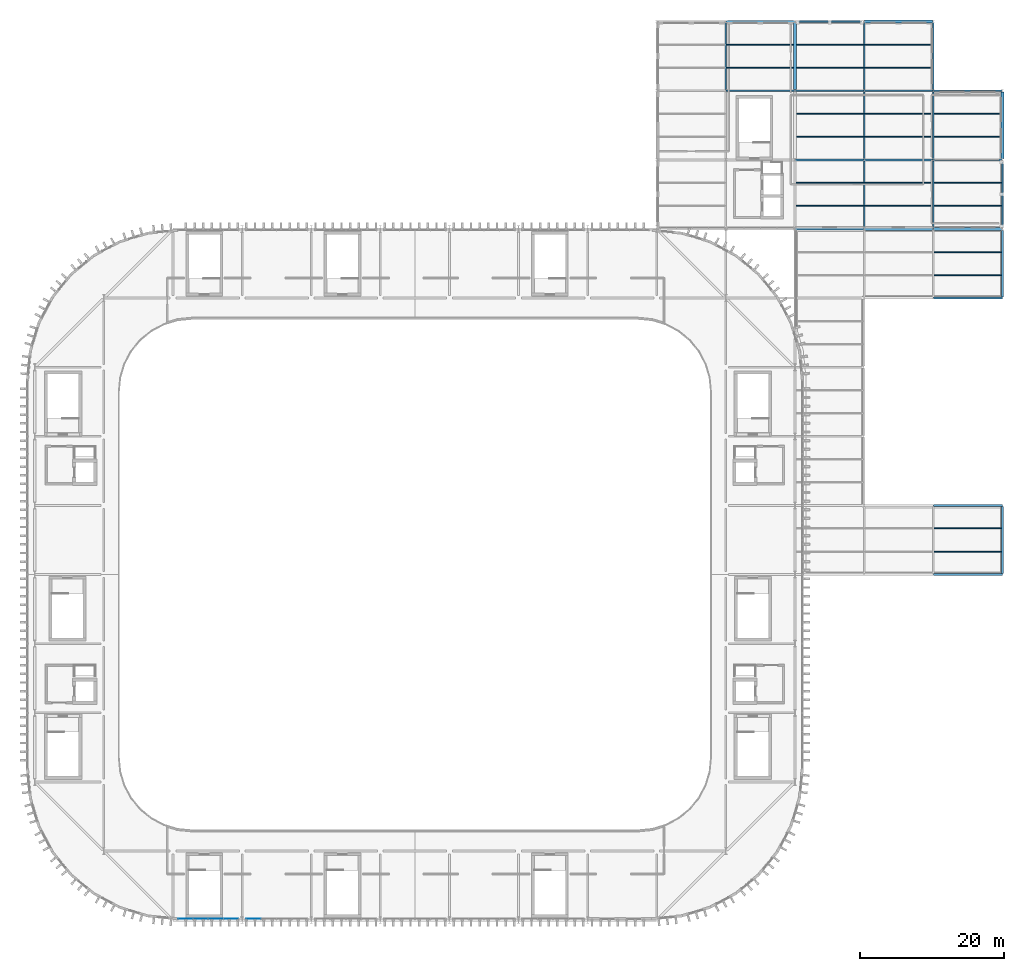
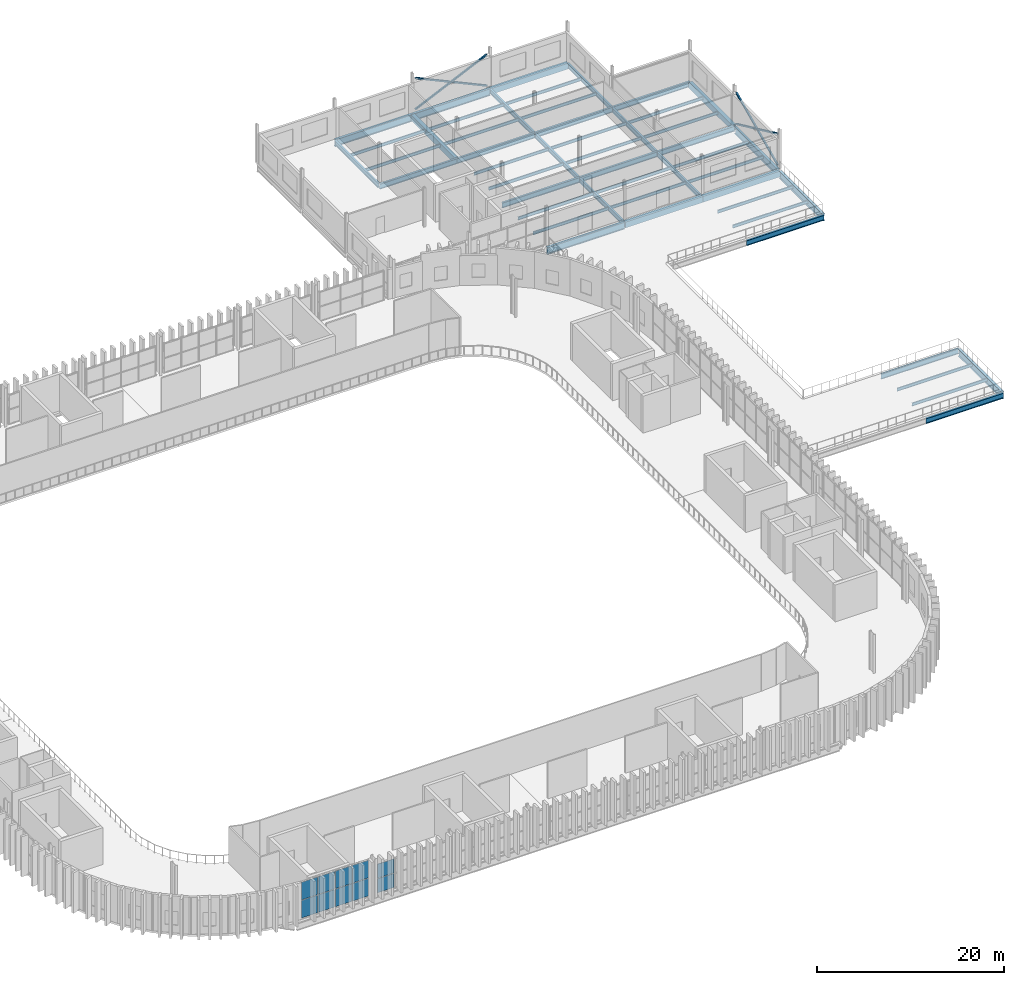
# One storey, part 25 of 45: 50 beams, 10 plates, 6 members, 2 elements without a shape of their own.
"""IFC4 building model written with IfcOpenShell, lengths in metres."""

from ifc_helpers import new_model, si_unit, direction, frame, origin, origin_2d, place, context, subcontext, project, spatial, rectangle, hollow_rectangle, i_section, extrude, material, layer, layer_set, material_profile, profile_set, type_object, element, aggregate, save


model = new_model("IFC4")

# Units and contexts
model_context = context("Model", 3, precision=1e-05, world=origin(), true_north=direction((0.0, 1.0)))
body_context = subcontext(model_context, "Body", "Model", "MODEL_VIEW")
ifc_project = project(units=[si_unit("LENGTHUNIT", "METRE"), si_unit("AREAUNIT", "SQUARE_METRE"), si_unit("VOLUMEUNIT", "CUBIC_METRE"), si_unit("PLANEANGLEUNIT", "RADIAN"), si_unit("MASSUNIT", "GRAM", prefix="KILO")], contexts=[model_context])

# Site, building, storey
site_placement = place(None, origin())
site = spatial("IfcSite", under=ifc_project, at=site_placement, CompositionType="ELEMENT")
building_placement = place(site_placement, origin())
building = spatial("IfcBuilding", under=site, at=building_placement, Name="Caelomonte Colonnade Arena", CompositionType="ELEMENT")
storey_placement = place(building_placement, frame((0.0, 0.0, 23.10009765625)))
storey = spatial("IfcBuildingStorey", under=building, at=storey_placement, Name="L05", CompositionType="ELEMENT", Elevation=23.10009765625)

# Members
ifc_material_1 = material(Name="Steel ASTM A500 Grade C", Category="steel")
ifc_material_profile_1 = material_profile(ifc_material_1, hollow_rectangle(XDim=0.203125, YDim=0.203125, WallThickness=0.009521484375, InnerFilletRadius=0.009521484375, OuterFilletRadius=0.01904296875, at=origin_2d()), Name="HSS203X203X9.5")
ifc_profile_set_1 = profile_set([ifc_material_profile_1], Name="Steel ASTM A500 Grade C")
member_type = type_object("IfcMemberType", Name="STR-BF-DIAG3", PredefinedType="BRACE", material=ifc_profile_set_1)
member_1_placement = place(storey_placement, frame((163.563720703125, 144.0, 0.16162109375), z_axis=(0.907895029972, 0.0, 0.419197584143), x_axis=(0.0, 1.0, 0.0)))
element("IfcMember", 1, at=member_1_placement, inside=storey, type_object=member_type, Name="Braced frame BF3 L05 continuous diagonal A", PredefinedType="BRACE", context=body_context, shape_type="SweptSolid", body=[
    extrude(hollow_rectangle(XDim=0.203125, YDim=0.203125, WallThickness=0.009521484375, InnerFilletRadius=0.009521484375, OuterFilletRadius=0.01904296875, at=origin_2d()), origin(), (0.0, 0.0, 1.0), 9.772705078125),
])
for number, where, z_axis, x_axis, name in (
    (2, (172.436279296875, 144.0, 0.16162109375), (-0.907901875581, 0.0, 0.419182757657), (0.0, -1.0, 0.0), "Braced frame BF3 L05 split diagonal B1"),
    (3, (167.85107421875, 144.0, 2.27880859375), (-0.907901875581, 0.0, 0.419182757657), (0.0, -1.0, 0.0), "Braced frame BF3 L05 split diagonal B2"),
):
    element("IfcMember", number, at=place(storey_placement, frame(where, z_axis=z_axis, x_axis=x_axis)), inside=storey, type_object=member_type, Name=name, PredefinedType="BRACE", context=body_context, shape_type="SweptSolid", body=[
        extrude(hollow_rectangle(XDim=0.203125, YDim=0.203125, WallThickness=0.009521484375, InnerFilletRadius=0.009521484375, OuterFilletRadius=0.01904296875, at=origin_2d()), origin(), (0.0, 0.0, 1.0), 4.72216796875),
    ])
member_2_placement = place(storey_placement, frame((192.0, 115.563720703125, 0.16162109375), z_axis=(0.0, 0.907895029972, 0.419197584143), x_axis=(-1.0, 0.0, 0.0)))
element("IfcMember", 4, at=member_2_placement, inside=storey, type_object=member_type, Name="Braced frame BF4 L05 continuous diagonal A", PredefinedType="BRACE", context=body_context, shape_type="SweptSolid", body=[
    extrude(hollow_rectangle(XDim=0.203125, YDim=0.203125, WallThickness=0.009521484375, InnerFilletRadius=0.009521484375, OuterFilletRadius=0.01904296875, at=origin_2d()), origin(), (0.0, 0.0, 1.0), 9.772705078125),
])
for number, where, z_axis, x_axis, name in (
    (5, (192.0, 124.436279296875, 0.16162109375), (0.0, -0.907901875581, 0.419182757657), (1.0, 0.0, 0.0), "Braced frame BF4 L05 split diagonal B1"),
    (6, (192.0, 119.85107421875, 2.27880859375), (0.0, -0.907901875581, 0.419182757657), (1.0, 0.0, 0.0), "Braced frame BF4 L05 split diagonal B2"),
):
    element("IfcMember", number, at=place(storey_placement, frame(where, z_axis=z_axis, x_axis=x_axis)), inside=storey, type_object=member_type, Name=name, PredefinedType="BRACE", context=body_context, shape_type="SweptSolid", body=[
        extrude(hollow_rectangle(XDim=0.203125, YDim=0.203125, WallThickness=0.009521484375, InnerFilletRadius=0.009521484375, OuterFilletRadius=0.01904296875, at=origin_2d()), origin(), (0.0, 0.0, 1.0), 4.72216796875),
    ])

# Beams
ifc_material_2 = material(Name="Wide-flange steel ASTM A992 Grade 50", Category="steel")
ifc_material_profile_2 = material_profile(ifc_material_2, i_section(OverallWidth=0.307861328125, OverallDepth=0.927001953125, WebThickness=0.019287109375, FlangeThickness=0.031982421875, FilletRadius=0.020263671875, at=origin_2d()), Name="W36X194")
ifc_profile_set_2 = profile_set([ifc_material_profile_2], Name="Wide-flange steel ASTM A992 Grade 50")
beam_type_1 = type_object("IfcBeamType", Name="STR-BM-EAVES2", PredefinedType="SPANDREL", material=ifc_profile_set_2)
beam_1_placement = place(storey_placement, frame((163.204833984375, 115.199951171875, -0.7236328125), z_axis=(1.0, 0.0, 0.0), x_axis=(0.0, 1.0, 0.0)))
element("IfcBeam", 7, at=beam_1_placement, inside=storey, type_object=beam_type_1, Name="L05 girder BMX-L05-1632-1152", PredefinedType="SPANDREL", context=body_context, shape_type="SweptSolid", body=[
    extrude(i_section(OverallWidth=0.307861328125, OverallDepth=0.927001953125, WebThickness=0.019287109375, FlangeThickness=0.031982421875, FilletRadius=0.020263671875, at=origin_2d()), origin(), (0.0, 0.0, 1.0), 9.59033203125),
])
beam_2_placement = place(storey_placement, frame((153.60498046875, 144.0, -0.7236328125), z_axis=(1.0, 0.0, 0.0), x_axis=(0.0, 1.0, 0.0)))
element("IfcBeam", 8, at=beam_2_placement, inside=storey, type_object=beam_type_1, Name="L05 girder BMX-L05-1536-1440", PredefinedType="SPANDREL", context=body_context, shape_type="SweptSolid", body=[
    extrude(i_section(OverallWidth=0.307861328125, OverallDepth=0.927001953125, WebThickness=0.019287109375, FlangeThickness=0.031982421875, FilletRadius=0.020263671875, at=origin_2d()), origin(), (0.0, 0.0, 1.0), 9.590087890625),
])
beam_3_placement = place(storey_placement, frame((163.204833984375, 144.0, -0.7236328125), z_axis=(1.0, 0.0, 0.0), x_axis=(0.0, 1.0, 0.0)))
element("IfcBeam", 9, at=beam_3_placement, inside=storey, type_object=beam_type_1, Name="L05 girder BMX-L05-1632-1440", PredefinedType="SPANDREL", context=body_context, shape_type="SweptSolid", body=[
    extrude(i_section(OverallWidth=0.307861328125, OverallDepth=0.927001953125, WebThickness=0.019287109375, FlangeThickness=0.031982421875, FilletRadius=0.020263671875, at=origin_2d()), origin(), (0.0, 0.0, 1.0), 9.59033203125),
])
beam_4_placement = place(storey_placement, frame((192.0, 67.345947265625, -0.7236328125), z_axis=(0.0, 1.0, 0.0), x_axis=(-1.0, 0.0, 0.0)))
element("IfcBeam", 10, at=beam_4_placement, inside=storey, type_object=beam_type_1, Name="L05 girder BMY-L05-1920-0672", PredefinedType="SPANDREL", context=body_context, shape_type="SweptSolid", body=[
    extrude(i_section(OverallWidth=0.307861328125, OverallDepth=0.927001953125, WebThickness=0.019287109375, FlangeThickness=0.031982421875, FilletRadius=0.020263671875, at=origin_2d()), origin(), (0.0, 0.0, 1.0), 9.30810546875),
])
beam_5_placement = place(storey_placement, frame((192.0, 105.745849609375, -0.7236328125), z_axis=(0.0, 1.0, 0.0), x_axis=(-1.0, 0.0, 0.0)))
element("IfcBeam", 11, at=beam_5_placement, inside=storey, type_object=beam_type_1, Name="L05 girder BMY-L05-1920-1056", PredefinedType="SPANDREL", context=body_context, shape_type="SweptSolid", body=[
    extrude(i_section(OverallWidth=0.307861328125, OverallDepth=0.927001953125, WebThickness=0.019287109375, FlangeThickness=0.031982421875, FilletRadius=0.020263671875, at=origin_2d()), origin(), (0.0, 0.0, 1.0), 9.308349609375),
])
beam_6_placement = place(storey_placement, frame((192.0, 115.345947265625, -0.7236328125), z_axis=(0.0, 1.0, 0.0), x_axis=(-1.0, 0.0, 0.0)))
element("IfcBeam", 12, at=beam_6_placement, inside=storey, type_object=beam_type_1, Name="L05 girder BMY-L05-1920-1152", PredefinedType="SPANDREL", context=body_context, shape_type="SweptSolid", body=[
    extrude(i_section(OverallWidth=0.307861328125, OverallDepth=0.927001953125, WebThickness=0.019287109375, FlangeThickness=0.031982421875, FilletRadius=0.020263671875, at=origin_2d()), origin(), (0.0, 0.0, 1.0), 9.30810546875),
])
ifc_material_profile_3 = material_profile(ifc_material_2, i_section(OverallWidth=0.227783203125, OverallDepth=0.60205078125, WebThickness=0.010498046875, FlangeThickness=0.014892578125, FilletRadius=0.0126953125, at=origin_2d()), Name="W24X68")
ifc_profile_set_3 = profile_set([ifc_material_profile_3], Name="Wide-flange steel ASTM A992 Grade 50")
beam_type_2 = type_object("IfcBeamType", Name="STR-BM-GIRD24B", PredefinedType="SPANDREL", material=ifc_profile_set_3)
for number, where, z_axis, x_axis, name in (
    (13, (153.60009765625, 134.5458984375, -0.56103515625), (0.0, 1.0, 0.0), (-1.0, 0.0, 0.0), "L05 girder BMY-L05-1536-1344"),
    (14, (172.800048828125, 115.345947265625, -0.56103515625), (0.0, 1.0, 0.0), (-1.0, 0.0, 0.0), "L05 girder BMY-L05-1728-1152"),
):
    element("IfcBeam", number, at=place(storey_placement, frame(where, z_axis=z_axis, x_axis=x_axis)), inside=storey, type_object=beam_type_2, Name=name, PredefinedType="SPANDREL", context=body_context, shape_type="SweptSolid", body=[
        extrude(i_section(OverallWidth=0.227783203125, OverallDepth=0.60205078125, WebThickness=0.010498046875, FlangeThickness=0.014892578125, FilletRadius=0.0126953125, at=origin_2d()), origin(), (0.0, 0.0, 1.0), 9.30810546875),
    ])
beam_7_placement = place(storey_placement, frame((172.800048828125, 124.94580078125, -0.56103515625), z_axis=(0.0, 1.0, 0.0), x_axis=(-1.0, 0.0, 0.0)))
element("IfcBeam", 15, at=beam_7_placement, inside=storey, type_object=beam_type_2, Name="L05 girder BMY-L05-1728-1248", PredefinedType="SPANDREL", context=body_context, shape_type="SweptSolid", body=[
    extrude(i_section(OverallWidth=0.227783203125, OverallDepth=0.60205078125, WebThickness=0.010498046875, FlangeThickness=0.014892578125, FilletRadius=0.0126953125, at=origin_2d()), origin(), (0.0, 0.0, 1.0), 9.308349609375),
])
for number, where, z_axis, x_axis, name in (
    (16, (172.800048828125, 134.5458984375, -0.56103515625), (0.0, 1.0, 0.0), (-1.0, 0.0, 0.0), "L05 girder BMY-L05-1728-1344"),
    (17, (182.39990234375, 115.345947265625, -0.56103515625), (0.0, 1.0, 0.0), (-1.0, 0.0, 0.0), "L05 girder BMY-L05-1824-1152"),
):
    element("IfcBeam", number, at=place(storey_placement, frame(where, z_axis=z_axis, x_axis=x_axis)), inside=storey, type_object=beam_type_2, Name=name, PredefinedType="SPANDREL", context=body_context, shape_type="SweptSolid", body=[
        extrude(i_section(OverallWidth=0.227783203125, OverallDepth=0.60205078125, WebThickness=0.010498046875, FlangeThickness=0.014892578125, FilletRadius=0.0126953125, at=origin_2d()), origin(), (0.0, 0.0, 1.0), 9.30810546875),
    ])
beam_8_placement = place(storey_placement, frame((182.39990234375, 124.94580078125, -0.56103515625), z_axis=(0.0, 1.0, 0.0), x_axis=(-1.0, 0.0, 0.0)))
element("IfcBeam", 18, at=beam_8_placement, inside=storey, type_object=beam_type_2, Name="L05 girder BMY-L05-1824-1248", PredefinedType="SPANDREL", context=body_context, shape_type="SweptSolid", body=[
    extrude(i_section(OverallWidth=0.227783203125, OverallDepth=0.60205078125, WebThickness=0.010498046875, FlangeThickness=0.014892578125, FilletRadius=0.0126953125, at=origin_2d()), origin(), (0.0, 0.0, 1.0), 9.308349609375),
])
beam_9_placement = place(storey_placement, frame((182.39990234375, 134.5458984375, -0.56103515625), z_axis=(0.0, 1.0, 0.0), x_axis=(-1.0, 0.0, 0.0)))
element("IfcBeam", 19, at=beam_9_placement, inside=storey, type_object=beam_type_2, Name="L05 girder BMY-L05-1824-1344", PredefinedType="SPANDREL", context=body_context, shape_type="SweptSolid", body=[
    extrude(i_section(OverallWidth=0.227783203125, OverallDepth=0.60205078125, WebThickness=0.010498046875, FlangeThickness=0.014892578125, FilletRadius=0.0126953125, at=origin_2d()), origin(), (0.0, 0.0, 1.0), 9.30810546875),
])
ifc_material_profile_4 = material_profile(ifc_material_2, i_section(OverallWidth=0.2529296875, OverallDepth=0.67822265625, WebThickness=0.01171875, FlangeThickness=0.016357421875, FilletRadius=0.01513671875, at=origin_2d()), Name="W27X84")
ifc_profile_set_4 = profile_set([ifc_material_profile_4], Name="Wide-flange steel ASTM A992 Grade 50")
beam_type_3 = type_object("IfcBeamType", Name="STR-BM-GIRD27B", PredefinedType="BEAM", material=ifc_profile_set_4)
for number, where, z_axis, x_axis, name in (
    (20, (182.405029296875, 67.199951171875, -0.59912109375), (1.0, 0.0, 0.0), (0.0, 1.0, 0.0), "L05 girder BMX-L05-1824-0672"),
    (21, (182.405029296875, 76.800048828125, -0.59912109375), (1.0, 0.0, 0.0), (0.0, 1.0, 0.0), "L05 girder BMX-L05-1824-0768"),
    (22, (182.405029296875, 105.60009765625, -0.59912109375), (1.0, 0.0, 0.0), (0.0, 1.0, 0.0), "L05 girder BMX-L05-1824-1056"),
):
    element("IfcBeam", number, at=place(storey_placement, frame(where, z_axis=z_axis, x_axis=x_axis)), inside=storey, type_object=beam_type_3, Name=name, PredefinedType="BEAM", context=body_context, shape_type="SweptSolid", body=[
        extrude(i_section(OverallWidth=0.2529296875, OverallDepth=0.67822265625, WebThickness=0.01171875, FlangeThickness=0.016357421875, FilletRadius=0.01513671875, at=origin_2d()), origin(), (0.0, 0.0, 1.0), 9.590087890625),
    ])
beam_10_placement = place(storey_placement, frame((163.204833984375, 124.800048828125, -0.59912109375), z_axis=(1.0, 0.0, 0.0), x_axis=(0.0, 1.0, 0.0)))
element("IfcBeam", 23, at=beam_10_placement, inside=storey, type_object=beam_type_3, Name="L05 girder BMX-L05-1632-1248", PredefinedType="BEAM", context=body_context, shape_type="SweptSolid", body=[
    extrude(i_section(OverallWidth=0.2529296875, OverallDepth=0.67822265625, WebThickness=0.01171875, FlangeThickness=0.016357421875, FilletRadius=0.01513671875, at=origin_2d()), origin(), (0.0, 0.0, 1.0), 9.59033203125),
])
for number, where, z_axis, x_axis, name in (
    (24, (172.804931640625, 124.800048828125, -0.59912109375), (1.0, 0.0, 0.0), (0.0, 1.0, 0.0), "L05 girder BMX-L05-1728-1248"),
    (25, (182.405029296875, 124.800048828125, -0.59912109375), (1.0, 0.0, 0.0), (0.0, 1.0, 0.0), "L05 girder BMX-L05-1824-1248"),
    (26, (153.60498046875, 134.39990234375, -0.59912109375), (1.0, 0.0, 0.0), (0.0, 1.0, 0.0), "L05 girder BMX-L05-1536-1344"),
):
    element("IfcBeam", number, at=place(storey_placement, frame(where, z_axis=z_axis, x_axis=x_axis)), inside=storey, type_object=beam_type_3, Name=name, PredefinedType="BEAM", context=body_context, shape_type="SweptSolid", body=[
        extrude(i_section(OverallWidth=0.2529296875, OverallDepth=0.67822265625, WebThickness=0.01171875, FlangeThickness=0.016357421875, FilletRadius=0.01513671875, at=origin_2d()), origin(), (0.0, 0.0, 1.0), 9.590087890625),
    ])
beam_11_placement = place(storey_placement, frame((163.204833984375, 134.39990234375, -0.59912109375), z_axis=(1.0, 0.0, 0.0), x_axis=(0.0, 1.0, 0.0)))
element("IfcBeam", 27, at=beam_11_placement, inside=storey, type_object=beam_type_3, Name="L05 girder BMX-L05-1632-1344", PredefinedType="BEAM", context=body_context, shape_type="SweptSolid", body=[
    extrude(i_section(OverallWidth=0.2529296875, OverallDepth=0.67822265625, WebThickness=0.01171875, FlangeThickness=0.016357421875, FilletRadius=0.01513671875, at=origin_2d()), origin(), (0.0, 0.0, 1.0), 9.59033203125),
])
for number, where, z_axis, x_axis, name in (
    (28, (172.804931640625, 134.39990234375, -0.59912109375), (1.0, 0.0, 0.0), (0.0, 1.0, 0.0), "L05 girder BMX-L05-1728-1344"),
    (29, (182.405029296875, 134.39990234375, -0.59912109375), (1.0, 0.0, 0.0), (0.0, 1.0, 0.0), "L05 girder BMX-L05-1824-1344"),
):
    element("IfcBeam", number, at=place(storey_placement, frame(where, z_axis=z_axis, x_axis=x_axis)), inside=storey, type_object=beam_type_3, Name=name, PredefinedType="BEAM", context=body_context, shape_type="SweptSolid", body=[
        extrude(i_section(OverallWidth=0.2529296875, OverallDepth=0.67822265625, WebThickness=0.01171875, FlangeThickness=0.016357421875, FilletRadius=0.01513671875, at=origin_2d()), origin(), (0.0, 0.0, 1.0), 9.590087890625),
    ])
ifc_material_profile_5 = material_profile(ifc_material_2, i_section(OverallWidth=0.140380859375, OverallDepth=0.40380859375, WebThickness=0.007080078125, FlangeThickness=0.01123046875, FilletRadius=0.01025390625, at=origin_2d()), Name="W16X31")
ifc_profile_set_5 = profile_set([ifc_material_profile_5], Name="Wide-flange steel ASTM A992 Grade 50")
beam_type_4 = type_object("IfcBeamType", Name="STR-BM-JOIST16B", PredefinedType="JOIST", material=ifc_profile_set_5)
for number, where, z_axis, x_axis, name in (
    (30, (153.708984375, 137.60009765625, -0.462158203125), (1.0, 0.0, 0.0), (0.0, 1.0, 0.0), "L05 secondary joist 1"),
    (31, (153.708984375, 140.800048828125, -0.462158203125), (1.0, 0.0, 0.0), (0.0, 1.0, 0.0), "L05 secondary joist 2"),
):
    element("IfcBeam", number, at=place(storey_placement, frame(where, z_axis=z_axis, x_axis=x_axis)), inside=storey, type_object=beam_type_4, Name=name, PredefinedType="JOIST", context=body_context, shape_type="SweptSolid", body=[
        extrude(i_section(OverallWidth=0.140380859375, OverallDepth=0.40380859375, WebThickness=0.007080078125, FlangeThickness=0.01123046875, FilletRadius=0.01025390625, at=origin_2d()), origin(), (0.0, 0.0, 1.0), 9.27099609375),
    ])
for number, where, z_axis, x_axis, name in (
    (32, (163.348876953125, 118.39990234375, -0.462158203125), (1.0, 0.0, 0.0), (0.0, 1.0, 0.0), "L05 secondary joist 1"),
    (33, (163.348876953125, 121.60009765625, -0.462158203125), (1.0, 0.0, 0.0), (0.0, 1.0, 0.0), "L05 secondary joist 2"),
):
    element("IfcBeam", number, at=place(storey_placement, frame(where, z_axis=z_axis, x_axis=x_axis)), inside=storey, type_object=beam_type_4, Name=name, PredefinedType="JOIST", context=body_context, shape_type="SweptSolid", body=[
        extrude(i_section(OverallWidth=0.140380859375, OverallDepth=0.40380859375, WebThickness=0.007080078125, FlangeThickness=0.01123046875, FilletRadius=0.01025390625, at=origin_2d()), origin(), (0.0, 0.0, 1.0), 9.34228515625),
    ])
for number, where, z_axis, x_axis, name in (
    (34, (163.419921875, 128.0, -0.462158203125), (1.0, 0.0, 0.0), (0.0, 1.0, 0.0), "L05 secondary joist 1"),
    (35, (163.419921875, 131.199951171875, -0.462158203125), (1.0, 0.0, 0.0), (0.0, 1.0, 0.0), "L05 secondary joist 2"),
    (36, (163.419921875, 137.60009765625, -0.462158203125), (1.0, 0.0, 0.0), (0.0, 1.0, 0.0), "L05 secondary joist 1"),
    (37, (163.419921875, 140.800048828125, -0.462158203125), (1.0, 0.0, 0.0), (0.0, 1.0, 0.0), "L05 secondary joist 2"),
):
    element("IfcBeam", number, at=place(storey_placement, frame(where, z_axis=z_axis, x_axis=x_axis)), inside=storey, type_object=beam_type_4, Name=name, PredefinedType="JOIST", context=body_context, shape_type="SweptSolid", body=[
        extrude(i_section(OverallWidth=0.140380859375, OverallDepth=0.40380859375, WebThickness=0.007080078125, FlangeThickness=0.01123046875, FilletRadius=0.01025390625, at=origin_2d()), origin(), (0.0, 0.0, 1.0), 9.271240234375),
    ])
for number, where, z_axis, x_axis, name in (
    (38, (172.908935546875, 118.39990234375, -0.462158203125), (1.0, 0.0, 0.0), (0.0, 1.0, 0.0), "L05 secondary joist 1"),
    (39, (172.908935546875, 121.60009765625, -0.462158203125), (1.0, 0.0, 0.0), (0.0, 1.0, 0.0), "L05 secondary joist 2"),
    (40, (172.908935546875, 128.0, -0.462158203125), (1.0, 0.0, 0.0), (0.0, 1.0, 0.0), "L05 secondary joist 1"),
    (41, (172.908935546875, 131.199951171875, -0.462158203125), (1.0, 0.0, 0.0), (0.0, 1.0, 0.0), "L05 secondary joist 2"),
    (42, (172.908935546875, 137.60009765625, -0.462158203125), (1.0, 0.0, 0.0), (0.0, 1.0, 0.0), "L05 secondary joist 1"),
    (43, (172.908935546875, 140.800048828125, -0.462158203125), (1.0, 0.0, 0.0), (0.0, 1.0, 0.0), "L05 secondary joist 2"),
):
    element("IfcBeam", number, at=place(storey_placement, frame(where, z_axis=z_axis, x_axis=x_axis)), inside=storey, type_object=beam_type_4, Name=name, PredefinedType="JOIST", context=body_context, shape_type="SweptSolid", body=[
        extrude(i_section(OverallWidth=0.140380859375, OverallDepth=0.40380859375, WebThickness=0.007080078125, FlangeThickness=0.01123046875, FilletRadius=0.01025390625, at=origin_2d()), origin(), (0.0, 0.0, 1.0), 9.382080078125),
    ])
for number, where, z_axis, x_axis, name in (
    (44, (182.5087890625, 70.39990234375, -0.462158203125), (1.0, 0.0, 0.0), (0.0, 1.0, 0.0), "L05 secondary joist 1"),
    (45, (182.5087890625, 73.60009765625, -0.462158203125), (1.0, 0.0, 0.0), (0.0, 1.0, 0.0), "L05 secondary joist 2"),
    (46, (182.5087890625, 108.800048828125, -0.462158203125), (1.0, 0.0, 0.0), (0.0, 1.0, 0.0), "L05 secondary joist 1"),
    (47, (182.5087890625, 112.0, -0.462158203125), (1.0, 0.0, 0.0), (0.0, 1.0, 0.0), "L05 secondary joist 2"),
    (48, (182.5087890625, 118.39990234375, -0.462158203125), (1.0, 0.0, 0.0), (0.0, 1.0, 0.0), "L05 secondary joist 1"),
    (49, (182.5087890625, 121.60009765625, -0.462158203125), (1.0, 0.0, 0.0), (0.0, 1.0, 0.0), "L05 secondary joist 2"),
):
    element("IfcBeam", number, at=place(storey_placement, frame(where, z_axis=z_axis, x_axis=x_axis)), inside=storey, type_object=beam_type_4, Name=name, PredefinedType="JOIST", context=body_context, shape_type="SweptSolid", body=[
        extrude(i_section(OverallWidth=0.140380859375, OverallDepth=0.40380859375, WebThickness=0.007080078125, FlangeThickness=0.01123046875, FilletRadius=0.01025390625, at=origin_2d()), origin(), (0.0, 0.0, 1.0), 9.34228515625),
    ])
for number, where, z_axis, x_axis, name in (
    (50, (182.5087890625, 128.0, -0.462158203125), (1.0, 0.0, 0.0), (0.0, 1.0, 0.0), "L05 secondary joist 1"),
    (51, (182.5087890625, 131.199951171875, -0.462158203125), (1.0, 0.0, 0.0), (0.0, 1.0, 0.0), "L05 secondary joist 2"),
):
    element("IfcBeam", number, at=place(storey_placement, frame(where, z_axis=z_axis, x_axis=x_axis)), inside=storey, type_object=beam_type_4, Name=name, PredefinedType="JOIST", context=body_context, shape_type="SweptSolid", body=[
        extrude(i_section(OverallWidth=0.140380859375, OverallDepth=0.40380859375, WebThickness=0.007080078125, FlangeThickness=0.01123046875, FilletRadius=0.01025390625, at=origin_2d()), origin(), (0.0, 0.0, 1.0), 9.271240234375),
    ])
ifc_material_3 = material(Name="Concrete C40/50", Category="concrete")
ifc_material_profile_6 = material_profile(ifc_material_3, rectangle(XDim=0.449951171875, YDim=0.75, at=origin_2d()), Name="RC450X750")
ifc_profile_set_6 = profile_set([ifc_material_profile_6], Name="Concrete C40/50")
beam_type_5 = type_object("IfcBeamType", Name="STR-BM-SPAN24", PredefinedType="SPANDREL", material=ifc_profile_set_6)
for number, where, z_axis, x_axis, name in (
    (52, (172.804931640625, 115.199951171875, -0.635009765625), (1.0, 0.0, 0.0), (0.0, 1.0, 0.0), "L05 girder BMX-L05-1728-1152"),
    (53, (182.405029296875, 115.199951171875, -0.635009765625), (1.0, 0.0, 0.0), (0.0, 1.0, 0.0), "L05 girder BMX-L05-1824-1152"),
    (54, (172.804931640625, 144.0, -0.635009765625), (1.0, 0.0, 0.0), (0.0, 1.0, 0.0), "L05 girder BMX-L05-1728-1440"),
):
    element("IfcBeam", number, at=place(storey_placement, frame(where, z_axis=z_axis, x_axis=x_axis)), inside=storey, type_object=beam_type_5, Name=name, PredefinedType="SPANDREL", context=body_context, shape_type="SweptSolid", body=[
        extrude(rectangle(XDim=0.449951171875, YDim=0.75, at=origin_2d()), origin(), (0.0, 0.0, 1.0), 9.590087890625),
    ])
beam_12_placement = place(storey_placement, frame((163.199951171875, 134.5458984375, -0.635009765625), z_axis=(0.0, 1.0, 0.0), x_axis=(-1.0, 0.0, 0.0)))
element("IfcBeam", 55, at=beam_12_placement, inside=storey, type_object=beam_type_5, Name="L05 girder BMY-L05-1632-1344", PredefinedType="SPANDREL", context=body_context, shape_type="SweptSolid", body=[
    extrude(rectangle(XDim=0.449951171875, YDim=0.75, at=origin_2d()), origin(), (0.0, 0.0, 1.0), 9.30810546875),
])
beam_13_placement = place(storey_placement, frame((192.0, 124.94580078125, -0.635009765625), z_axis=(0.0, 1.0, 0.0), x_axis=(-1.0, 0.0, 0.0)))
element("IfcBeam", 56, at=beam_13_placement, inside=storey, type_object=beam_type_5, Name="L05 girder BMY-L05-1920-1248", PredefinedType="SPANDREL", context=body_context, shape_type="SweptSolid", body=[
    extrude(rectangle(XDim=0.449951171875, YDim=0.75, at=origin_2d()), origin(), (0.0, 0.0, 1.0), 9.308349609375),
])

# Curtain wall, plates
ifc_material_4 = material(Name="Bronze anodised aluminium and low-E glazing", Category="aluminium")
ifc_layer_1 = layer(ifc_material_4, 0.179931640625)
ifc_layer_set_1 = layer_set([ifc_layer_1], Name="Bronze anodised aluminium and low-E glazing")
curtain_wall_type_1 = type_object("IfcCurtainWallType", Name="ENV-CW-CW-L05-91-48", PredefinedType="USERDEFINED", material=ifc_layer_set_1)
curtain_wall_1_placement = place(storey_placement, origin())
curtain_wall_1 = element("IfcCurtainWall", 57, at=curtain_wall_1_placement, inside=storey, type_object=curtain_wall_type_1, Name="L05 unitized curtain wall CW-L05-0818-0194", ObjectType="UNITIZED CURTAIN WALL", PredefinedType="USERDEFINED")
ifc_material_5 = material(Name="Solar-control bronze low-E double glazing", Category="glass")
ifc_layer_2 = layer(ifc_material_5, 0.035888671875)
ifc_layer_set_2 = layer_set([ifc_layer_2], Name="Solar-control bronze low-E double glazing")
plate_type = type_object("IfcPlateType", Name="ENV-CW-PAN36", PredefinedType="CURTAIN_PANEL", material=ifc_layer_set_2)
plate_1_placement = place(storey_placement, frame((78.517822265625, 19.3798828125, 0.06982421875), z_axis=(0.0, 0.0, 1.0), x_axis=(1.0, 0.0, 0.0)))
plate_1 = element("IfcPlate", 58, at=plate_1_placement, type_object=plate_type, Name="CW-L05-91-48 panel 1.1", PredefinedType="CURTAIN_PANEL", context=body_context, shape_type="SweptSolid", body=[
    extrude(rectangle(XDim=2.015625, YDim=0.035888671875, at=origin_2d()), origin(), (0.0, 0.0, 1.0), 2.304931640625),
])
plate_2_placement = place(storey_placement, frame((78.517822265625, 19.3798828125, 2.44482421875), z_axis=(0.0, 0.0, 1.0), x_axis=(1.0, 0.0, 0.0)))
plate_2 = element("IfcPlate", 59, at=plate_2_placement, type_object=plate_type, Name="CW-L05-91-48 panel 1.2", PredefinedType="CURTAIN_PANEL", context=body_context, shape_type="SweptSolid", body=[
    extrude(rectangle(XDim=2.015625, YDim=0.035888671875, at=origin_2d()), origin(), (0.0, 0.0, 1.0), 2.304931640625),
])
plate_3_placement = place(storey_placement, frame((80.62109375, 19.3798828125, 0.06982421875), z_axis=(0.0, 0.0, 1.0), x_axis=(1.0, 0.0, 0.0)))
plate_3 = element("IfcPlate", 60, at=plate_3_placement, type_object=plate_type, Name="CW-L05-91-48 panel 2.1", PredefinedType="CURTAIN_PANEL", context=body_context, shape_type="SweptSolid", body=[
    extrude(rectangle(XDim=2.05078125, YDim=0.035888671875, at=origin_2d()), origin(), (0.0, 0.0, 1.0), 2.304931640625),
])
plate_4_placement = place(storey_placement, frame((80.62109375, 19.3798828125, 2.44482421875), z_axis=(0.0, 0.0, 1.0), x_axis=(1.0, 0.0, 0.0)))
plate_4 = element("IfcPlate", 61, at=plate_4_placement, type_object=plate_type, Name="CW-L05-91-48 panel 2.2", PredefinedType="CURTAIN_PANEL", context=body_context, shape_type="SweptSolid", body=[
    extrude(rectangle(XDim=2.05078125, YDim=0.035888671875, at=origin_2d()), origin(), (0.0, 0.0, 1.0), 2.304931640625),
])
plate_5_placement = place(storey_placement, frame((82.74169921875, 19.3798828125, 0.06982421875), z_axis=(0.0, 0.0, 1.0), x_axis=(1.0, 0.0, 0.0)))
plate_5 = element("IfcPlate", 62, at=plate_5_placement, type_object=plate_type, Name="CW-L05-91-48 panel 3.1", PredefinedType="CURTAIN_PANEL", context=body_context, shape_type="SweptSolid", body=[
    extrude(rectangle(XDim=2.05078125, YDim=0.035888671875, at=origin_2d()), origin(), (0.0, 0.0, 1.0), 2.304931640625),
])
plate_6_placement = place(storey_placement, frame((82.74169921875, 19.3798828125, 2.44482421875), z_axis=(0.0, 0.0, 1.0), x_axis=(1.0, 0.0, 0.0)))
plate_6 = element("IfcPlate", 63, at=plate_6_placement, type_object=plate_type, Name="CW-L05-91-48 panel 3.2", PredefinedType="CURTAIN_PANEL", context=body_context, shape_type="SweptSolid", body=[
    extrude(rectangle(XDim=2.05078125, YDim=0.035888671875, at=origin_2d()), origin(), (0.0, 0.0, 1.0), 2.304931640625),
])
plate_7_placement = place(storey_placement, frame((84.844970703125, 19.3798828125, 0.06982421875), z_axis=(0.0, 0.0, 1.0), x_axis=(1.0, 0.0, 0.0)))
plate_7 = element("IfcPlate", 64, at=plate_7_placement, type_object=plate_type, Name="CW-L05-91-48 panel 4.1", PredefinedType="CURTAIN_PANEL", context=body_context, shape_type="SweptSolid", body=[
    extrude(rectangle(XDim=2.015625, YDim=0.035888671875, at=origin_2d()), origin(), (0.0, 0.0, 1.0), 2.304931640625),
])
plate_8_placement = place(storey_placement, frame((84.844970703125, 19.3798828125, 2.44482421875), z_axis=(0.0, 0.0, 1.0), x_axis=(1.0, 0.0, 0.0)))
plate_8 = element("IfcPlate", 65, at=plate_8_placement, type_object=plate_type, Name="CW-L05-91-48 panel 4.2", PredefinedType="CURTAIN_PANEL", context=body_context, shape_type="SweptSolid", body=[
    extrude(rectangle(XDim=2.015625, YDim=0.035888671875, at=origin_2d()), origin(), (0.0, 0.0, 1.0), 2.304931640625),
])
aggregate(curtain_wall_1, [plate_1, plate_2, plate_3, plate_4, plate_5, plate_6, plate_7, plate_8])

ifc_layer_3 = layer(ifc_material_4, 0.179931640625)
ifc_layer_set_3 = layer_set([ifc_layer_3], Name="Bronze anodised aluminium and low-E glazing")
curtain_wall_type_2 = type_object("IfcCurtainWallType", Name="ENV-CW-CW-L05-96-39", PredefinedType="USERDEFINED", material=ifc_layer_set_3)
curtain_wall_2_placement = place(storey_placement, origin())
curtain_wall_2 = element("IfcCurtainWall", 66, at=curtain_wall_2_placement, inside=storey, type_object=curtain_wall_type_2, Name="L05 unitized curtain wall CW-L05-0912-0194", ObjectType="UNITIZED CURTAIN WALL", PredefinedType="USERDEFINED")
plate_9_placement = place(storey_placement, frame((87.975341796875, 19.3798828125, 0.06982421875), z_axis=(0.0, 0.0, 1.0), x_axis=(1.0, 0.0, 0.0)))
plate_9 = element("IfcPlate", 67, at=plate_9_placement, type_object=plate_type, Name="CW-L05-96-39 panel 1.1", PredefinedType="CURTAIN_PANEL", context=body_context, shape_type="SweptSolid", body=[
    extrude(rectangle(XDim=2.056396484375, YDim=0.035888671875, at=origin_2d()), origin(), (0.0, 0.0, 1.0), 1.841552734375),
])
plate_10_placement = place(storey_placement, frame((87.975341796875, 19.3798828125, 1.9814453125), z_axis=(0.0, 0.0, 1.0), x_axis=(1.0, 0.0, 0.0)))
plate_10 = element("IfcPlate", 68, at=plate_10_placement, type_object=plate_type, Name="CW-L05-96-39 panel 1.2", PredefinedType="CURTAIN_PANEL", context=body_context, shape_type="SweptSolid", body=[
    extrude(rectangle(XDim=2.056396484375, YDim=0.035888671875, at=origin_2d()), origin(), (0.0, 0.0, 1.0), 1.84130859375),
])
aggregate(curtain_wall_2, [plate_9, plate_10])

save(model, "model.ifc")
